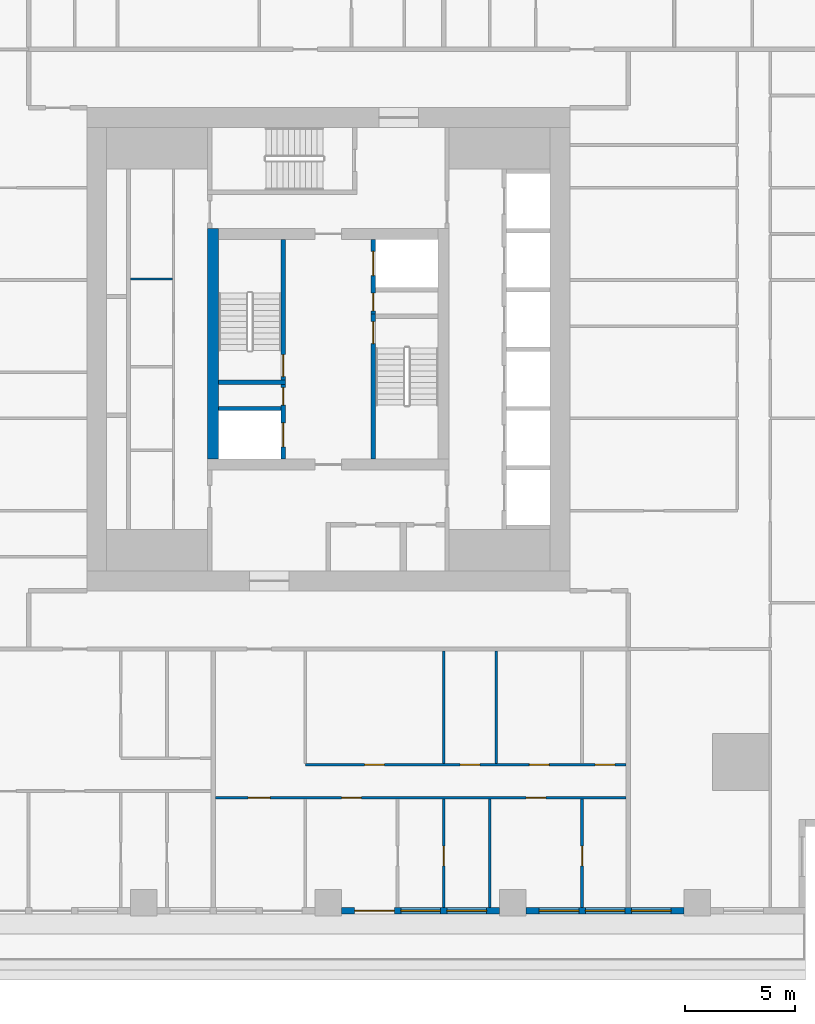
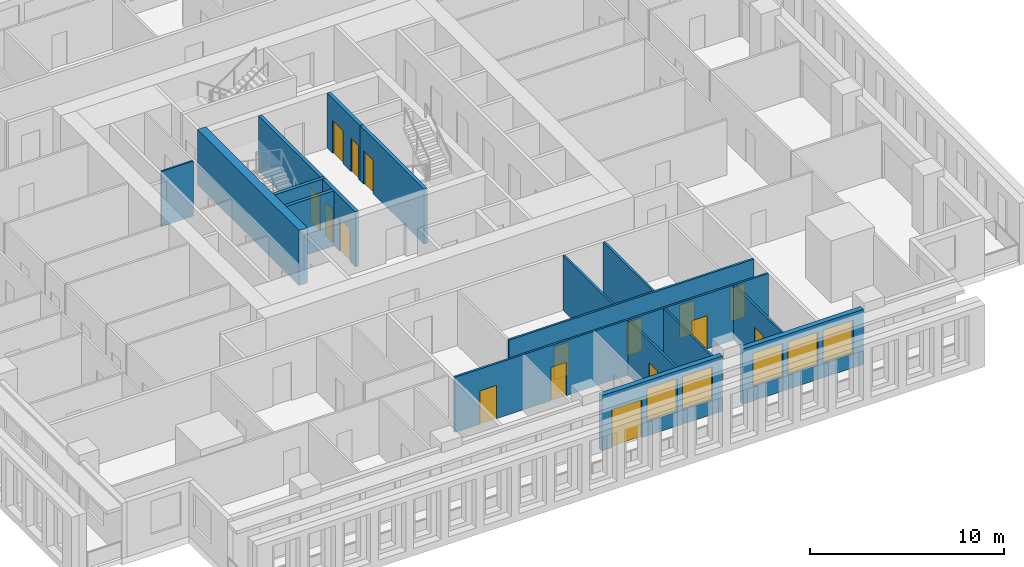
# One storey, part 4 of 16: 17 walls, 16 doors, 5 windows, 21 openings.
"""IFC4 building model written with IfcOpenShell, lengths in metres."""

import ifcopenshell
import ifcopenshell.guid

model = None  # the IFC model being written
_history = None  # IfcOwnerHistory: only IFC2X3 demands one
_inside = {}  # id of a spatial element -> (the spatial element, [elements in it])
_under = {}  # id of a project, library or spatial element -> (it, [spatial elements below it])
_declared = {}  # id of a project -> (the project, [libraries it declares])
_typed = {}  # id of a type object -> (the type object, [elements of that type])
_made_of = {}  # id of a material, layer set ... -> (it, [elements and type objects made of it])


def new_model(schema):
    """Start an empty IFC model of exactly this schema.

    Asked for "IFC4X3", IfcOpenShell would pick the latest addendum, in which some entities
    have other attributes; the version numbers below select the first issue.
    IFC2X3 requires an IfcOwnerHistory on every rooted entity: one is made here for all.
    """
    global model, _history
    if schema == "IFC4X3":
        model = ifcopenshell.file(schema_version=(4, 3, 0, 0))
    else:
        model = ifcopenshell.file(schema=schema)
    _inside.clear()
    _under.clear()
    _declared.clear()
    _typed.clear()
    _made_of.clear()
    _history = None
    if model.schema == "IFC2X3":
        org = make("IfcOrganization", Name="unknown")
        user = make(
            "IfcPersonAndOrganization",
            ThePerson=make("IfcPerson", FamilyName="unknown"),
            TheOrganization=org,
        )
        app = make(
            "IfcApplication",
            ApplicationDeveloper=org,
            Version="unknown",
            ApplicationFullName="unknown",
            ApplicationIdentifier="unknown",
        )
        _history = make(
            "IfcOwnerHistory",
            OwningUser=user,
            OwningApplication=app,
            ChangeAction="ADDED",
            CreationDate=0,
        )
    return model


def make(cls, **values):
    """One entity of the class cls with the attributes given. An attribute that is None is left unset."""
    return model.create_entity(
        cls, **{name: value for name, value in values.items() if value is not None}
    )


def rooted(cls, **values):
    """An entity with a GlobalId (a new one), such as an element, a storey or a relation."""
    return make(cls, GlobalId=ifcopenshell.guid.new(), OwnerHistory=_history, **values)


def si_unit(unit_type, name, prefix=None):
    """IfcSIUnit, for example si_unit("LENGTHUNIT", "METRE", prefix="MILLI")."""
    return make("IfcSIUnit", UnitType=unit_type, Prefix=prefix, Name=name)


def assignment(units):
    """IfcUnitAssignment: the units of a project."""
    return None if units is None else make("IfcUnitAssignment", Units=units)


def point(xyz):
    """IfcCartesianPoint."""
    return None if xyz is None else make("IfcCartesianPoint", Coordinates=xyz)


def direction(xyz):
    """IfcDirection."""
    return None if xyz is None else make("IfcDirection", DirectionRatios=xyz)


def frame(location, z_axis=None, x_axis=None):
    """IfcAxis2Placement3D, a coordinate frame: its origin and axes. An axis left out is left unset."""
    return make(
        "IfcAxis2Placement3D",
        Location=point(location),
        Axis=direction(z_axis),
        RefDirection=direction(x_axis),
    )


def frame_2d(location, x_axis=None):
    """IfcAxis2Placement2D, a coordinate frame in the plane: its origin and x axis."""
    return make(
        "IfcAxis2Placement2D", Location=point(location), RefDirection=direction(x_axis)
    )


def origin():
    """The frame at (0, 0, 0) with its axes left unset."""
    return frame((0.0, 0.0, 0.0))


def place(relative_to, where):
    """IfcLocalPlacement: puts the frame where relative to a parent placement (None: the world)."""
    return make(
        "IfcLocalPlacement", PlacementRelTo=relative_to, RelativePlacement=where
    )


def context(
    kind, dimensions, precision=None, world=None, true_north=None, identifier=None
):
    """IfcGeometricRepresentationContext, for example the 3D "Model" context."""
    return make(
        "IfcGeometricRepresentationContext",
        ContextIdentifier=identifier,
        ContextType=kind,
        CoordinateSpaceDimension=dimensions,
        Precision=precision,
        WorldCoordinateSystem=world,
        TrueNorth=true_north,
    )


def subcontext(parent, identifier, kind, view, scale=None):
    """IfcGeometricRepresentationSubContext, for example "Body" below "Model"."""
    return make(
        "IfcGeometricRepresentationSubContext",
        ContextIdentifier=identifier,
        ContextType=kind,
        ParentContext=parent,
        TargetScale=scale,
        TargetView=view,
    )


def project(units=None, contexts=None):
    """IfcProject with its units and contexts."""
    return rooted(
        "IfcProject",
        Name="project",
        RepresentationContexts=contexts,
        UnitsInContext=assignment(units),
    )


def spatial(cls, under=None, at=None, **own):
    """A site, building, storey or space (cls), placed at a placement, below another one or the project."""
    s = rooted(cls, ObjectPlacement=at, **own)
    if under is not None:
        _under.setdefault(under.id(), (under, []))[1].append(s)
    return s


def profile(cls, at=None, kind="AREA", **sizes):
    """A parametric profile (cls). Its sizes go by their IFC names, for example OverallWidth=200.0."""
    return make(cls, ProfileType=kind, Position=at, **sizes)


def rectangle(**sizes):
    """IfcRectangleProfileDef."""
    return profile("IfcRectangleProfileDef", **sizes)


def extrude(swept, where, along, depth):
    """IfcExtrudedAreaSolid: the profile swept, set in the frame where, extruded along a direction by depth."""
    return make(
        "IfcExtrudedAreaSolid",
        SweptArea=swept,
        Position=where,
        ExtrudedDirection=direction(along),
        Depth=depth,
    )


def shape(context_of_items, identifier, shape_type, items):
    """IfcShapeRepresentation: the items that make up one representation, for example the "Body"."""
    return make(
        "IfcShapeRepresentation",
        ContextOfItems=context_of_items,
        RepresentationIdentifier=identifier,
        RepresentationType=shape_type,
        Items=items,
    )


def material(Name=None, Category=None):
    """IfcMaterial."""
    return make("IfcMaterial", Name=Name, Category=Category)


def layer(
    of_material, thickness, ventilated=None, Name=None, Category=None, Priority=None
):
    """IfcMaterialLayer: one layer of a wall or slab, of a material (None: an air gap)."""
    return make(
        "IfcMaterialLayer",
        Material=of_material,
        LayerThickness=thickness,
        IsVentilated=ventilated,
        Name=Name,
        Category=Category,
        Priority=Priority,
    )


def layer_set(layers, Name=None):
    """IfcMaterialLayerSet."""
    return make("IfcMaterialLayerSet", MaterialLayers=layers, LayerSetName=Name)


def made_of(thing, what):
    """Note that an element or type object is made of a material, layer set ...; save() writes the relation."""
    if what is not None:
        _made_of.setdefault(what.id(), (what, []))[1].append(thing)
    return thing


def type_object(cls, material=None, **own):
    """A type object (cls), such as IfcWallType, which elements share."""
    return made_of(rooted(cls, **own), material)


def element(
    cls,
    number,
    at=None,
    inside=None,
    cuts=None,
    type_object=None,
    material=None,
    context=None,
    identifier="Body",
    shape_type=None,
    held_by="IfcProductDefinitionShape",
    body=None,
    shapes=None,
    **own,
):
    """One element of the class cls, such as IfcWall. Its Tag is "e" and its number.

    at: its placement. inside: the storey or other place that contains it. cuts: it is an
    opening in that element (IfcRelVoidsElement). A single representation is given by context,
    identifier, shape_type and body (its items); several are given by shapes. held_by: the class
    of the entity that holds the representations. save() writes the other relations.
    """
    e = rooted(cls, Tag="e%d" % number, ObjectPlacement=at, **own)
    if body is not None:
        shapes = [shape(context, identifier, shape_type, body)]
    if shapes is not None:
        e.Representation = make(held_by, Representations=shapes)
    if inside is not None:
        _inside.setdefault(inside.id(), (inside, []))[1].append(e)
    if cuts is not None:
        rooted(
            "IfcRelVoidsElement", RelatingBuildingElement=cuts, RelatedOpeningElement=e
        )
    if type_object is not None:
        _typed.setdefault(type_object.id(), (type_object, []))[1].append(e)
    return made_of(e, material)


def fill(opening, filler):
    """IfcRelFillsElement: the door or window that sits in an opening."""
    return rooted(
        "IfcRelFillsElement",
        RelatingOpeningElement=opening,
        RelatedBuildingElement=filler,
    )


def aggregate(whole, parts):
    """IfcRelAggregates: a whole, such as a stair, and the parts it consists of."""
    return rooted("IfcRelAggregates", RelatingObject=whole, RelatedObjects=parts)


def save(model, path):
    """Write the relations noted so far, then the file.

    IfcRelAggregates (storeys below a building ...), IfcRelContainedInSpatialStructure (elements
    in a storey), IfcRelDefinesByType, IfcRelAssociatesMaterial and IfcRelDeclares: one each for
    every whole, place, type object, material and project.
    """
    for whole, parts in _under.values():
        aggregate(whole, parts)
    for where, things in _inside.values():
        rooted(
            "IfcRelContainedInSpatialStructure",
            RelatedElements=things,
            RelatingStructure=where,
        )
    for kind, things in _typed.values():
        rooted("IfcRelDefinesByType", RelatedObjects=things, RelatingType=kind)
    for what, things in _made_of.values():
        rooted("IfcRelAssociatesMaterial", RelatedObjects=things, RelatingMaterial=what)
    for by, libraries in _declared.values():
        rooted("IfcRelDeclares", RelatingContext=by, RelatedDefinitions=libraries)
    model.write(path)


model = new_model("IFC4")

# Units and contexts
model_context = context("Model", 3, precision=1e-05, world=origin(), true_north=direction((0.0, 1.0)))
body_context = subcontext(model_context, "Body", "Model", "MODEL_VIEW")
ifc_project = project(units=[si_unit("LENGTHUNIT", "METRE"), si_unit("AREAUNIT", "SQUARE_METRE"), si_unit("VOLUMEUNIT", "CUBIC_METRE"), si_unit("PLANEANGLEUNIT", "RADIAN"), si_unit("MASSUNIT", "GRAM", prefix="KILO")], contexts=[model_context])

# Site, building, storey
site_placement = place(None, origin())
site = spatial("IfcSite", under=ifc_project, at=site_placement, CompositionType="ELEMENT")
building_placement = place(site_placement, origin())
building = spatial("IfcBuilding", under=site, at=building_placement, Name="Khepri Terraces", CompositionType="ELEMENT")
storey_placement = place(building_placement, frame((0.0, 0.0, 157.199951171875)))
storey = spatial("IfcBuildingStorey", under=building, at=storey_placement, Name="L37", CompositionType="ELEMENT", Elevation=157.199951171875)

# Wall, opening, door
ifc_material_1 = material(Name="Concrete C60/75", Category="concrete")
ifc_layer_1 = layer(ifc_material_1, 0.199951171875, Name="Concrete C60/75", Category="concrete")
ifc_layer_set_1 = layer_set([ifc_layer_1], Name="Concrete C60/75")
wall_type_1 = type_object("IfcWallType", Name="Core wall 200 C60/75", PredefinedType="SHEAR", material=ifc_layer_set_1)
wall_1_placement = place(storey_placement, frame((2.050048828125, -5.0, 0.0), z_axis=(0.0, 0.0, 1.0), x_axis=(0.0, 1.0, 0.0)))
wall_1 = element("IfcWall", 1, at=wall_1_placement, inside=storey, type_object=wall_type_1, Name="Core wall ST01 L37", PredefinedType="SHEAR", context=body_context, shape_type="SweptSolid", body=[
    extrude(rectangle(XDim=6.60009765625, YDim=0.199951171875, at=frame_2d((3.300048828125, 0.0))), origin(), (0.0, 0.0, 1.0), 3.47998046875),
])
opening_1_placement = place(wall_1_placement, frame((5.25, 0.0, 0.0)))
opening_1 = element("IfcOpeningElement", 2, at=opening_1_placement, cuts=wall_1, Name="Opening L37-C10", PredefinedType="OPENING", context=body_context, shape_type="SweptSolid", body=[
    extrude(rectangle(XDim=1.0, YDim=2.10009765625, at=frame_2d((0.5, 1.050048828125))), frame((0.0, 0.10986328125, 0.0), z_axis=(0.0, -1.0, 0.0), x_axis=(1.0, 0.0, 0.0)), (0.0, 0.0, 1.0), 0.219970703125),
])
ifc_material_2 = material(Name="Painted steel", Category="steel")
door_type_1 = type_object("IfcDoorType", Name="DR-CORE-STAIR-1000", OperationType="NOTDEFINED", PredefinedType="DOOR", material=ifc_material_2)
door_1_placement = place(opening_1_placement, frame((1.0, 0.0, 0.0), z_axis=(0.0, 0.0, 1.0), x_axis=(-1.0, 0.0, 0.0)))
door_1 = element("IfcDoor", 3, at=door_1_placement, inside=storey, type_object=door_type_1, Name="Stair door L37-C10", OperationType="SINGLE_SWING_LEFT", OverallHeight=2.10009765625, OverallWidth=1.0, PredefinedType="DOOR", context=body_context, shape_type="SweptSolid", body=[
    extrude(rectangle(XDim=1.0, YDim=2.10009765625, at=frame_2d((0.5, 1.050048828125))), frame((0.0, 0.02490234375, 0.0), z_axis=(0.0, -1.0, 0.0), x_axis=(1.0, 0.0, 0.0)), (0.0, 0.0, 1.0), 0.050048828125),
])
fill(opening_1, door_1)

# Wall
wall_2_placement = place(storey_placement, frame((-5.0, -1.5, 0.0), z_axis=(0.0, 0.0, 1.0), x_axis=(1.0, 0.0, 0.0)))
element("IfcWall", 4, at=wall_2_placement, inside=storey, type_object=wall_type_1, Name="Core wall ST02 L37", PredefinedType="SHEAR", context=body_context, shape_type="SweptSolid", body=[
    extrude(rectangle(XDim=3.050048828125, YDim=0.199951171875, at=frame_2d((1.52490234375, 0.0))), origin(), (0.0, 0.0, 1.0), 3.47998046875),
])

# Wall, opening, door
wall_3_placement = place(storey_placement, frame((-2.050048828125, -1.39990234375, 0.0), z_axis=(0.0, 0.0, 1.0), x_axis=(0.0, 1.0, 0.0)))
wall_3 = element("IfcWall", 5, at=wall_3_placement, inside=storey, type_object=wall_type_1, Name="Core wall ST03 L37", PredefinedType="SHEAR", context=body_context, shape_type="SweptSolid", body=[
    extrude(rectangle(XDim=6.39990234375, YDim=0.199951171875, at=frame_2d((3.199951171875, 0.0))), origin(), (0.0, 0.0, 1.0), 3.47998046875),
])
opening_2_placement = place(wall_3_placement, frame((0.14990234375, 0.0, 0.0)))
opening_2 = element("IfcOpeningElement", 6, at=opening_2_placement, cuts=wall_3, Name="Opening L37-C09", PredefinedType="OPENING", context=body_context, shape_type="SweptSolid", body=[
    extrude(rectangle(XDim=1.0, YDim=2.10009765625, at=frame_2d((0.5, 1.050048828125))), frame((0.0, 0.10986328125, 0.0), z_axis=(0.0, -1.0, 0.0), x_axis=(1.0, 0.0, 0.0)), (0.0, 0.0, 1.0), 0.219970703125),
])
door_2_placement = place(opening_2_placement, origin())
door_2 = element("IfcDoor", 7, at=door_2_placement, inside=storey, type_object=door_type_1, Name="Stair door L37-C09", OperationType="SINGLE_SWING_LEFT", OverallHeight=2.10009765625, OverallWidth=1.0, PredefinedType="DOOR", context=body_context, shape_type="SweptSolid", body=[
    extrude(rectangle(XDim=1.0, YDim=2.10009765625, at=frame_2d((0.5, 1.050048828125))), frame((0.0, 0.02490234375, 0.0), z_axis=(0.0, -1.0, 0.0), x_axis=(1.0, 0.0, 0.0)), (0.0, 0.0, 1.0), 0.050048828125),
])
fill(opening_2, door_2)

# Wall, openings, doors
wall_4_placement = place(storey_placement, frame((-2.050048828125, -5.0, 0.0), z_axis=(0.0, 0.0, 1.0), x_axis=(0.0, 1.0, 0.0)))
wall_4 = element("IfcWall", 8, at=wall_4_placement, inside=storey, type_object=wall_type_1, Name="Core wall SH05 L37", PredefinedType="SHEAR", context=body_context, shape_type="SweptSolid", body=[
    extrude(rectangle(XDim=3.39990234375, YDim=0.199951171875, at=frame_2d((1.699951171875, 0.0))), origin(), (0.0, 0.0, 1.0), 3.47998046875),
])
opening_3_placement = place(wall_4_placement, frame((0.550048828125, 0.0, 0.0)))
opening_3 = element("IfcOpeningElement", 9, at=opening_3_placement, cuts=wall_4, Name="Opening L37-C08", PredefinedType="OPENING", context=body_context, shape_type="SweptSolid", body=[
    extrude(rectangle(XDim=1.10009765625, YDim=2.10009765625, at=frame_2d((0.550048828125, 1.050048828125))), frame((0.0, 0.10986328125, 0.0), z_axis=(0.0, -1.0, 0.0), x_axis=(1.0, 0.0, 0.0)), (0.0, 0.0, 1.0), 0.219970703125),
])
opening_4_placement = place(wall_4_placement, frame((2.449951171875, 0.0, 0.0)))
opening_4 = element("IfcOpeningElement", 10, at=opening_4_placement, cuts=wall_4, Name="Opening L37-C12", PredefinedType="OPENING", context=body_context, shape_type="SweptSolid", body=[
    extrude(rectangle(XDim=0.800048828125, YDim=2.10009765625, at=frame_2d((0.39990234375, 1.050048828125))), frame((0.0, 0.10986328125, 0.0), z_axis=(0.0, -1.0, 0.0), x_axis=(1.0, 0.0, 0.0)), (0.0, 0.0, 1.0), 0.219970703125),
])
ifc_material_3 = material(Name="Stainless steel 304", Category="steel")
door_type_2 = type_object("IfcDoorType", Name="DR-CORE-FF-LANDING-1100", OperationType="NOTDEFINED", PredefinedType="DOOR", material=ifc_material_3)
door_3_placement = place(opening_3_placement, origin())
door_3 = element("IfcDoor", 11, at=door_3_placement, inside=storey, type_object=door_type_2, Name="Firefighting lift landing door L37-C08", OperationType="SLIDING_TO_LEFT", OverallHeight=2.10009765625, OverallWidth=1.10009765625, PredefinedType="DOOR", context=body_context, shape_type="SweptSolid", body=[
    extrude(rectangle(XDim=1.10009765625, YDim=2.10009765625, at=frame_2d((0.550048828125, 1.050048828125))), frame((0.0, 0.02490234375, 0.0), z_axis=(0.0, -1.0, 0.0), x_axis=(1.0, 0.0, 0.0)), (0.0, 0.0, 1.0), 0.050048828125),
])
fill(opening_3, door_3)
door_type_3 = type_object("IfcDoorType", Name="DR-CORE-RISER-800", OperationType="NOTDEFINED", PredefinedType="DOOR", material=ifc_material_2)
door_4_placement = place(opening_4_placement, origin())
door_4 = element("IfcDoor", 12, at=door_4_placement, inside=storey, type_object=door_type_3, Name="Riser door L37-C12", OperationType="SINGLE_SWING_RIGHT", OverallHeight=2.10009765625, OverallWidth=0.800048828125, PredefinedType="DOOR", context=body_context, shape_type="SweptSolid", body=[
    extrude(rectangle(XDim=0.800048828125, YDim=2.10009765625, at=frame_2d((0.39990234375, 1.050048828125))), frame((0.0, 0.02490234375, 0.0), z_axis=(0.0, -1.0, 0.0), x_axis=(1.0, 0.0, 0.0)), (0.0, 0.0, 1.0), 0.050048828125),
])
fill(opening_4, door_4)

# Wall
wall_5_placement = place(storey_placement, frame((-5.0, -2.699951171875, 0.0), z_axis=(0.0, 0.0, 1.0), x_axis=(1.0, 0.0, 0.0)))
element("IfcWall", 13, at=wall_5_placement, inside=storey, type_object=wall_type_1, Name="Core wall SH07 L37", PredefinedType="SHEAR", context=body_context, shape_type="SweptSolid", body=[
    extrude(rectangle(XDim=2.85009765625, YDim=0.199951171875, at=frame_2d((1.425048828125, 0.0))), origin(), (0.0, 0.0, 1.0), 3.47998046875),
])

# Wall, openings, doors
wall_6_placement = place(storey_placement, frame((2.050048828125, 1.60009765625, 0.0), z_axis=(0.0, 0.0, 1.0), x_axis=(0.0, 1.0, 0.0)))
wall_6 = element("IfcWall", 14, at=wall_6_placement, inside=storey, type_object=wall_type_1, Name="Core wall SH10 L37", PredefinedType="SHEAR", context=body_context, shape_type="SweptSolid", body=[
    extrude(rectangle(XDim=3.39990234375, YDim=0.199951171875, at=frame_2d((1.699951171875, 0.0))), origin(), (0.0, 0.0, 1.0), 3.47998046875),
])
opening_5_placement = place(wall_6_placement, frame((1.75, 0.0, 0.0)))
opening_5 = element("IfcOpeningElement", 15, at=opening_5_placement, cuts=wall_6, Name="Opening L37-C07", PredefinedType="OPENING", context=body_context, shape_type="SweptSolid", body=[
    extrude(rectangle(XDim=1.10009765625, YDim=2.10009765625, at=frame_2d((0.550048828125, 1.050048828125))), frame((0.0, 0.10986328125, 0.0), z_axis=(0.0, -1.0, 0.0), x_axis=(1.0, 0.0, 0.0)), (0.0, 0.0, 1.0), 0.219970703125),
])
opening_6_placement = place(wall_6_placement, frame((0.14990234375, 0.0, 0.0)))
opening_6 = element("IfcOpeningElement", 16, at=opening_6_placement, cuts=wall_6, Name="Opening L37-C11", PredefinedType="OPENING", context=body_context, shape_type="SweptSolid", body=[
    extrude(rectangle(XDim=0.800048828125, YDim=2.10009765625, at=frame_2d((0.39990234375, 1.050048828125))), frame((0.0, 0.10986328125, 0.0), z_axis=(0.0, -1.0, 0.0), x_axis=(1.0, 0.0, 0.0)), (0.0, 0.0, 1.0), 0.219970703125),
])
door_5_placement = place(opening_5_placement, origin())
door_5 = element("IfcDoor", 17, at=door_5_placement, inside=storey, type_object=door_type_2, Name="Firefighting lift landing door L37-C07", OperationType="SLIDING_TO_LEFT", OverallHeight=2.10009765625, OverallWidth=1.10009765625, PredefinedType="DOOR", context=body_context, shape_type="SweptSolid", body=[
    extrude(rectangle(XDim=1.10009765625, YDim=2.10009765625, at=frame_2d((0.550048828125, 1.050048828125))), frame((0.0, 0.02490234375, 0.0), z_axis=(0.0, -1.0, 0.0), x_axis=(1.0, 0.0, 0.0)), (0.0, 0.0, 1.0), 0.050048828125),
])
fill(opening_5, door_5)
door_6_placement = place(opening_6_placement, frame((0.800048828125, 0.0, 0.0), z_axis=(0.0, 0.0, 1.0), x_axis=(-1.0, 0.0, 0.0)))
door_6 = element("IfcDoor", 18, at=door_6_placement, inside=storey, type_object=door_type_3, Name="Riser door L37-C11", OperationType="SINGLE_SWING_RIGHT", OverallHeight=2.10009765625, OverallWidth=0.800048828125, PredefinedType="DOOR", context=body_context, shape_type="SweptSolid", body=[
    extrude(rectangle(XDim=0.800048828125, YDim=2.10009765625, at=frame_2d((0.39990234375, 1.050048828125))), frame((0.0, 0.02490234375, 0.0), z_axis=(0.0, -1.0, 0.0), x_axis=(1.0, 0.0, 0.0)), (0.0, 0.0, 1.0), 0.050048828125),
])
fill(opening_6, door_6)

# Walls
ifc_layer_2 = layer(ifc_material_1, 0.5, Name="Concrete C60/75", Category="concrete")
ifc_layer_set_2 = layer_set([ifc_layer_2], Name="Concrete C60/75")
wall_type_2 = type_object("IfcWallType", Name="Core wall 500 C60/75", PredefinedType="SHEAR", material=ifc_layer_set_2)
wall_7_placement = place(storey_placement, frame((-5.25, -5.0, 0.0), z_axis=(0.0, 0.0, 1.0), x_axis=(0.0, 1.0, 0.0)))
element("IfcWall", 19, at=wall_7_placement, inside=storey, type_object=wall_type_2, Name="Core wall BX02 L37", PredefinedType="SHEAR", context=body_context, shape_type="SweptSolid", body=[
    extrude(rectangle(XDim=10.5, YDim=0.5, at=frame_2d((5.25, 0.0))), origin(), (0.0, 0.0, 1.0), 3.47998046875),
])
ifc_material_4 = material(Name="Fire-rated gypsum board partition")
ifc_layer_3 = layer(ifc_material_4, 0.10009765625, Name="Fire-rated gypsum board partition")
ifc_layer_set_3 = layer_set([ifc_layer_3], Name="Fire-rated gypsum board partition")
wall_type_3 = type_object("IfcWallType", Name="WL-CORE-PART-100", PredefinedType="PARTITIONING", material=ifc_layer_set_3)
wall_8_placement = place(storey_placement, frame((-9.0, 3.199951171875, 0.0), z_axis=(0.0, 0.0, 1.0), x_axis=(1.0, 0.0, 0.0)))
element("IfcWall", 20, at=wall_8_placement, inside=storey, type_object=wall_type_3, Name="Core partition PT10 L37", PredefinedType="PARTITIONING", context=body_context, shape_type="SweptSolid", body=[
    extrude(rectangle(XDim=1.89990234375, YDim=0.10009765625, at=frame_2d((0.949951171875, 0.0))), origin(), (0.0, 0.0, 1.0), 3.47998046875),
])

# Wall, openings, door, windows
ifc_material_5 = material(Name="Precast concrete C50/60 warm stone", Category="masonry")
ifc_layer_4 = layer(ifc_material_5, 0.300048828125, Name="Precast concrete C50/60 warm stone", Category="masonry")
ifc_layer_set_4 = layer_set([ifc_layer_4], Name="Precast concrete C50/60 warm stone")
wall_type_4 = type_object("IfcWallType", Name="WL-EXT-PRECAST-300", PredefinedType="STANDARD", material=ifc_layer_set_4)
wall_9_placement = place(storey_placement, frame((0.60009765625, -25.570068359375, 0.0), z_axis=(0.0, 0.0, 1.0), x_axis=(1.0, 0.0, 0.0)))
wall_9 = element("IfcWall", 21, at=wall_9_placement, inside=storey, type_object=wall_type_4, Name="External wall L37 S", PredefinedType="STANDARD", context=body_context, shape_type="SweptSolid", body=[
    extrude(rectangle(XDim=7.199951171875, YDim=0.300048828125, at=frame_2d((3.60009765625, 0.0))), origin(), (0.0, 0.0, 1.0), 3.47998046875),
])
opening_7_placement = place(wall_9_placement, frame((0.60009765625, 0.0, 0.0)))
opening_7 = element("IfcOpeningElement", 22, at=opening_7_placement, cuts=wall_9, Name="Opening ED-L37-24", PredefinedType="OPENING", context=body_context, shape_type="SweptSolid", body=[
    extrude(rectangle(XDim=1.800048828125, YDim=2.39990234375, at=frame_2d((0.89990234375, 1.199951171875))), frame((0.0, 0.16015625, 0.0), z_axis=(0.0, -1.0, 0.0), x_axis=(1.0, 0.0, 0.0)), (0.0, 0.0, 1.0), 0.320068359375),
])
opening_8_placement = place(wall_9_placement, frame((2.699951171875, 0.0, 0.89990234375)))
opening_8 = element("IfcOpeningElement", 23, at=opening_8_placement, cuts=wall_9, Name="Opening W1", PredefinedType="OPENING", context=body_context, shape_type="SweptSolid", body=[
    extrude(rectangle(XDim=1.800048828125, YDim=2.10009765625, at=frame_2d((0.89990234375, 1.050048828125))), frame((0.0, 0.16015625, 0.0), z_axis=(0.0, -1.0, 0.0), x_axis=(1.0, 0.0, 0.0)), (0.0, 0.0, 1.0), 0.320068359375),
])
opening_9_placement = place(wall_9_placement, frame((4.800048828125, 0.0, 0.89990234375)))
opening_9 = element("IfcOpeningElement", 24, at=opening_9_placement, cuts=wall_9, Name="Opening W1", PredefinedType="OPENING", context=body_context, shape_type="SweptSolid", body=[
    extrude(rectangle(XDim=1.800048828125, YDim=2.10009765625, at=frame_2d((0.89990234375, 1.050048828125))), frame((0.0, 0.16015625, 0.0), z_axis=(0.0, -1.0, 0.0), x_axis=(1.0, 0.0, 0.0)), (0.0, 0.0, 1.0), 0.320068359375),
])
ifc_material_6 = material(Name="Anodised aluminium bronze glazed door", Category="aluminium")
door_type_4 = type_object("IfcDoorType", Name="DR-BAL-SLIDE-1800x2400", OperationType="NOTDEFINED", PredefinedType="DOOR", material=ifc_material_6)
door_7_placement = place(opening_7_placement, origin())
door_7 = element("IfcDoor", 25, at=door_7_placement, inside=storey, type_object=door_type_4, Name="Balcony door L37 S", OperationType="SLIDING_TO_LEFT", OverallHeight=2.39990234375, OverallWidth=1.800048828125, PredefinedType="DOOR", context=body_context, shape_type="SweptSolid", body=[
    extrude(rectangle(XDim=1.800048828125, YDim=2.39990234375, at=frame_2d((0.89990234375, 1.199951171875))), frame((0.0, 0.02490234375, 0.0), z_axis=(0.0, -1.0, 0.0), x_axis=(1.0, 0.0, 0.0)), (0.0, 0.0, 1.0), 0.050048828125),
])
fill(opening_7, door_7)
ifc_material_7 = material(Name="Clear glass", Category="glass")
window_type = type_object("IfcWindowType", Name="WIN-RES-1800x2100", PartitioningType="SINGLE_PANEL", PredefinedType="WINDOW", material=ifc_material_7)
window_1_placement = place(opening_8_placement, origin())
window_1 = element("IfcWindow", 26, at=window_1_placement, inside=storey, type_object=window_type, Name="Window L37 S", OverallHeight=2.10009765625, OverallWidth=1.800048828125, PartitioningType="SINGLE_PANEL", PredefinedType="WINDOW", context=body_context, shape_type="SweptSolid", body=[
    extrude(rectangle(XDim=1.800048828125, YDim=2.10009765625, at=frame_2d((0.89990234375, 1.050048828125))), frame((0.0, 0.030029296875, 0.0), z_axis=(0.0, -1.0, 0.0), x_axis=(1.0, 0.0, 0.0)), (0.0, 0.0, 1.0), 0.06005859375),
])
fill(opening_8, window_1)
window_2_placement = place(opening_9_placement, origin())
window_2 = element("IfcWindow", 27, at=window_2_placement, inside=storey, type_object=window_type, Name="Window L37 S", OverallHeight=2.10009765625, OverallWidth=1.800048828125, PartitioningType="SINGLE_PANEL", PredefinedType="WINDOW", context=body_context, shape_type="SweptSolid", body=[
    extrude(rectangle(XDim=1.800048828125, YDim=2.10009765625, at=frame_2d((0.89990234375, 1.050048828125))), frame((0.0, 0.030029296875, 0.0), z_axis=(0.0, -1.0, 0.0), x_axis=(1.0, 0.0, 0.0)), (0.0, 0.0, 1.0), 0.06005859375),
])
fill(opening_9, window_2)

# Wall, openings, windows
wall_10_placement = place(storey_placement, frame((9.0, -25.570068359375, 0.0), z_axis=(0.0, 0.0, 1.0), x_axis=(1.0, 0.0, 0.0)))
wall_10 = element("IfcWall", 28, at=wall_10_placement, inside=storey, type_object=wall_type_4, Name="External wall L37 S", PredefinedType="STANDARD", context=body_context, shape_type="SweptSolid", body=[
    extrude(rectangle(XDim=7.199951171875, YDim=0.300048828125, at=frame_2d((3.60009765625, 0.0))), origin(), (0.0, 0.0, 1.0), 3.47998046875),
])
opening_10_placement = place(wall_10_placement, frame((0.60009765625, 0.0, 0.89990234375)))
opening_10 = element("IfcOpeningElement", 29, at=opening_10_placement, cuts=wall_10, Name="Opening W1", PredefinedType="OPENING", context=body_context, shape_type="SweptSolid", body=[
    extrude(rectangle(XDim=1.800048828125, YDim=2.10009765625, at=frame_2d((0.89990234375, 1.050048828125))), frame((0.0, 0.16015625, 0.0), z_axis=(0.0, -1.0, 0.0), x_axis=(1.0, 0.0, 0.0)), (0.0, 0.0, 1.0), 0.320068359375),
])
opening_11_placement = place(wall_10_placement, frame((2.699951171875, 0.0, 0.89990234375)))
opening_11 = element("IfcOpeningElement", 30, at=opening_11_placement, cuts=wall_10, Name="Opening W1", PredefinedType="OPENING", context=body_context, shape_type="SweptSolid", body=[
    extrude(rectangle(XDim=1.800048828125, YDim=2.10009765625, at=frame_2d((0.89990234375, 1.050048828125))), frame((0.0, 0.16015625, 0.0), z_axis=(0.0, -1.0, 0.0), x_axis=(1.0, 0.0, 0.0)), (0.0, 0.0, 1.0), 0.320068359375),
])
opening_12_placement = place(wall_10_placement, frame((4.800048828125, 0.0, 0.89990234375)))
opening_12 = element("IfcOpeningElement", 31, at=opening_12_placement, cuts=wall_10, Name="Opening W1", PredefinedType="OPENING", context=body_context, shape_type="SweptSolid", body=[
    extrude(rectangle(XDim=1.800048828125, YDim=2.10009765625, at=frame_2d((0.89990234375, 1.050048828125))), frame((0.0, 0.16015625, 0.0), z_axis=(0.0, -1.0, 0.0), x_axis=(1.0, 0.0, 0.0)), (0.0, 0.0, 1.0), 0.320068359375),
])
window_3_placement = place(opening_10_placement, origin())
window_3 = element("IfcWindow", 32, at=window_3_placement, inside=storey, type_object=window_type, Name="Window L37 S", OverallHeight=2.10009765625, OverallWidth=1.800048828125, PartitioningType="SINGLE_PANEL", PredefinedType="WINDOW", context=body_context, shape_type="SweptSolid", body=[
    extrude(rectangle(XDim=1.800048828125, YDim=2.10009765625, at=frame_2d((0.89990234375, 1.050048828125))), frame((0.0, 0.030029296875, 0.0), z_axis=(0.0, -1.0, 0.0), x_axis=(1.0, 0.0, 0.0)), (0.0, 0.0, 1.0), 0.06005859375),
])
fill(opening_10, window_3)
window_4_placement = place(opening_11_placement, origin())
window_4 = element("IfcWindow", 33, at=window_4_placement, inside=storey, type_object=window_type, Name="Window L37 S", OverallHeight=2.10009765625, OverallWidth=1.800048828125, PartitioningType="SINGLE_PANEL", PredefinedType="WINDOW", context=body_context, shape_type="SweptSolid", body=[
    extrude(rectangle(XDim=1.800048828125, YDim=2.10009765625, at=frame_2d((0.89990234375, 1.050048828125))), frame((0.0, 0.030029296875, 0.0), z_axis=(0.0, -1.0, 0.0), x_axis=(1.0, 0.0, 0.0)), (0.0, 0.0, 1.0), 0.06005859375),
])
fill(opening_11, window_4)
window_5_placement = place(opening_12_placement, origin())
window_5 = element("IfcWindow", 34, at=window_5_placement, inside=storey, type_object=window_type, Name="Window L37 S", OverallHeight=2.10009765625, OverallWidth=1.800048828125, PartitioningType="SINGLE_PANEL", PredefinedType="WINDOW", context=body_context, shape_type="SweptSolid", body=[
    extrude(rectangle(XDim=1.800048828125, YDim=2.10009765625, at=frame_2d((0.89990234375, 1.050048828125))), frame((0.0, 0.030029296875, 0.0), z_axis=(0.0, -1.0, 0.0), x_axis=(1.0, 0.0, 0.0)), (0.0, 0.0, 1.0), 0.06005859375),
])
fill(opening_12, window_5)

# Wall, opening, door
ifc_material_8 = material(Name="Gypsum plasterboard partition")
ifc_layer_5 = layer(ifc_material_8, 0.1201171875, Name="Gypsum plasterboard partition")
ifc_layer_set_5 = layer_set([ifc_layer_5], Name="Gypsum plasterboard partition")
wall_type_5 = type_object("IfcWallType", Name="WL-PART-120", PredefinedType="PARTITIONING", material=ifc_layer_set_5)
wall_11_placement = place(storey_placement, frame((5.25, -25.419921875, 0.0), z_axis=(0.0, 0.0, 1.0), x_axis=(0.0, 1.0, 0.0)))
wall_11 = element("IfcWall", 35, at=wall_11_placement, inside=storey, type_object=wall_type_5, Name="Partition P-007 L37", PredefinedType="PARTITIONING", context=body_context, shape_type="SweptSolid", body=[
    extrude(rectangle(XDim=4.93994140625, YDim=0.1201171875, at=frame_2d((2.469970703125, 0.0))), origin(), (0.0, 0.0, 1.0), 3.47998046875),
])
opening_13_placement = place(wall_11_placement, frame((1.89990234375, 0.0, 0.0)))
opening_13 = element("IfcOpeningElement", 36, at=opening_13_placement, cuts=wall_11, Name="Opening D4", PredefinedType="OPENING", context=body_context, shape_type="SweptSolid", body=[
    extrude(rectangle(XDim=0.89990234375, YDim=2.10009765625, at=frame_2d((0.449951171875, 1.050048828125))), frame((0.0, 0.070068359375, 0.0), z_axis=(0.0, -1.0, 0.0), x_axis=(1.0, 0.0, 0.0)), (0.0, 0.0, 1.0), 0.14013671875),
])
ifc_material_9 = material(Name="Timber door leaf, moisture resistant", Category="wood")
door_type_5 = type_object("IfcDoorType", Name="DR-WET-900", OperationType="NOTDEFINED", PredefinedType="DOOR", material=ifc_material_9)
door_8_placement = place(opening_13_placement, frame((0.89990234375, 0.0, 0.0), z_axis=(0.0, 0.0, 1.0), x_axis=(-1.0, 0.0, 0.0)))
door_8 = element("IfcDoor", 37, at=door_8_placement, inside=storey, type_object=door_type_5, Name="Door Bathroom", OperationType="SINGLE_SWING_RIGHT", OverallHeight=2.10009765625, OverallWidth=0.89990234375, PredefinedType="DOOR", context=body_context, shape_type="SweptSolid", body=[
    extrude(rectangle(XDim=0.89990234375, YDim=2.10009765625, at=frame_2d((0.449951171875, 1.050048828125))), frame((0.0, 0.02490234375, 0.0), z_axis=(0.0, -1.0, 0.0), x_axis=(1.0, 0.0, 0.0)), (0.0, 0.0, 1.0), 0.050048828125),
])
fill(opening_13, door_8)

# Wall
wall_12_placement = place(storey_placement, frame((7.35009765625, -25.419921875, 0.0), z_axis=(0.0, 0.0, 1.0), x_axis=(0.0, 1.0, 0.0)))
element("IfcWall", 38, at=wall_12_placement, inside=storey, type_object=wall_type_5, Name="Partition P-008 L37", PredefinedType="PARTITIONING", context=body_context, shape_type="SweptSolid", body=[
    extrude(rectangle(XDim=4.93994140625, YDim=0.1201171875, at=frame_2d((2.469970703125, 0.0))), origin(), (0.0, 0.0, 1.0), 3.47998046875),
])

# Wall, opening, door
wall_13_placement = place(storey_placement, frame((11.550048828125, -25.419921875, 0.0), z_axis=(0.0, 0.0, 1.0), x_axis=(0.0, 1.0, 0.0)))
wall_13 = element("IfcWall", 39, at=wall_13_placement, inside=storey, type_object=wall_type_5, Name="Partition P-009 L37", PredefinedType="PARTITIONING", context=body_context, shape_type="SweptSolid", body=[
    extrude(rectangle(XDim=4.93994140625, YDim=0.1201171875, at=frame_2d((2.469970703125, 0.0))), origin(), (0.0, 0.0, 1.0), 3.47998046875),
])
opening_14_placement = place(wall_13_placement, frame((1.89990234375, 0.0, 0.0)))
opening_14 = element("IfcOpeningElement", 40, at=opening_14_placement, cuts=wall_13, Name="Opening D4", PredefinedType="OPENING", context=body_context, shape_type="SweptSolid", body=[
    extrude(rectangle(XDim=0.89990234375, YDim=2.10009765625, at=frame_2d((0.449951171875, 1.050048828125))), frame((0.0, 0.070068359375, 0.0), z_axis=(0.0, -1.0, 0.0), x_axis=(1.0, 0.0, 0.0)), (0.0, 0.0, 1.0), 0.14013671875),
])
door_9_placement = place(opening_14_placement, frame((0.89990234375, 0.0, 0.0), z_axis=(0.0, 0.0, 1.0), x_axis=(-1.0, 0.0, 0.0)))
door_9 = element("IfcDoor", 41, at=door_9_placement, inside=storey, type_object=door_type_5, Name="Door Bathroom", OperationType="SINGLE_SWING_RIGHT", OverallHeight=2.10009765625, OverallWidth=0.89990234375, PredefinedType="DOOR", context=body_context, shape_type="SweptSolid", body=[
    extrude(rectangle(XDim=0.89990234375, YDim=2.10009765625, at=frame_2d((0.449951171875, 1.050048828125))), frame((0.0, 0.02490234375, 0.0), z_axis=(0.0, -1.0, 0.0), x_axis=(1.0, 0.0, 0.0)), (0.0, 0.0, 1.0), 0.050048828125),
])
fill(opening_14, door_9)

# Wall, openings, doors
wall_14_placement = place(storey_placement, frame((-5.14990234375, -20.419921875, 0.0), z_axis=(0.0, 0.0, 1.0), x_axis=(1.0, 0.0, 0.0)))
wall_14 = element("IfcWall", 42, at=wall_14_placement, inside=storey, type_object=wall_type_5, Name="Partition P-012 L37", PredefinedType="PARTITIONING", context=body_context, shape_type="SweptSolid", body=[
    extrude(rectangle(XDim=18.699951171875, YDim=0.1201171875, at=frame_2d((9.35009765625, 0.0))), origin(), (0.0, 0.0, 1.0), 3.47998046875),
])
opening_15_placement = place(wall_14_placement, frame((1.5, 0.0, 0.0)))
opening_15 = element("IfcOpeningElement", 43, at=opening_15_placement, cuts=wall_14, Name="Opening D2", PredefinedType="OPENING", context=body_context, shape_type="SweptSolid", body=[
    extrude(rectangle(XDim=1.0, YDim=2.10009765625, at=frame_2d((0.5, 1.050048828125))), frame((0.0, 0.070068359375, 0.0), z_axis=(0.0, -1.0, 0.0), x_axis=(1.0, 0.0, 0.0)), (0.0, 0.0, 1.0), 0.14013671875),
])
opening_16_placement = place(wall_14_placement, frame((5.75, 0.0, 0.0)))
opening_16 = element("IfcOpeningElement", 44, at=opening_16_placement, cuts=wall_14, Name="Opening D3", PredefinedType="OPENING", context=body_context, shape_type="SweptSolid", body=[
    extrude(rectangle(XDim=0.89990234375, YDim=2.10009765625, at=frame_2d((0.449951171875, 1.050048828125))), frame((0.0, 0.070068359375, 0.0), z_axis=(0.0, -1.0, 0.0), x_axis=(1.0, 0.0, 0.0)), (0.0, 0.0, 1.0), 0.14013671875),
])
opening_17_placement = place(wall_14_placement, frame((14.14990234375, 0.0, 0.0)))
opening_17 = element("IfcOpeningElement", 45, at=opening_17_placement, cuts=wall_14, Name="Opening D3", PredefinedType="OPENING", context=body_context, shape_type="SweptSolid", body=[
    extrude(rectangle(XDim=0.89990234375, YDim=2.10009765625, at=frame_2d((0.449951171875, 1.050048828125))), frame((0.0, 0.070068359375, 0.0), z_axis=(0.0, -1.0, 0.0), x_axis=(1.0, 0.0, 0.0)), (0.0, 0.0, 1.0), 0.14013671875),
])
ifc_material_10 = material(Name="Timber door leaf, living room door", Category="wood")
door_type_6 = type_object("IfcDoorType", Name="DR-INT-1000", OperationType="NOTDEFINED", PredefinedType="DOOR", material=ifc_material_10)
door_10_placement = place(opening_15_placement, frame((1.0, 0.0, 0.0), z_axis=(0.0, 0.0, 1.0), x_axis=(-1.0, 0.0, 0.0)))
door_10 = element("IfcDoor", 46, at=door_10_placement, inside=storey, type_object=door_type_6, Name="Door Living Room", OperationType="SINGLE_SWING_RIGHT", OverallHeight=2.10009765625, OverallWidth=1.0, PredefinedType="DOOR", context=body_context, shape_type="SweptSolid", body=[
    extrude(rectangle(XDim=1.0, YDim=2.10009765625, at=frame_2d((0.5, 1.050048828125))), frame((0.0, 0.02490234375, 0.0), z_axis=(0.0, -1.0, 0.0), x_axis=(1.0, 0.0, 0.0)), (0.0, 0.0, 1.0), 0.050048828125),
])
fill(opening_15, door_10)
ifc_material_11 = material(Name="Timber door leaf", Category="wood")
door_type_7 = type_object("IfcDoorType", Name="DR-INT-900", OperationType="NOTDEFINED", PredefinedType="DOOR", material=ifc_material_11)
door_11_placement = place(opening_16_placement, frame((0.89990234375, 0.0, 0.0), z_axis=(0.0, 0.0, 1.0), x_axis=(-1.0, 0.0, 0.0)))
door_11 = element("IfcDoor", 47, at=door_11_placement, inside=storey, type_object=door_type_7, Name="Door Master Bedroom", OperationType="SINGLE_SWING_RIGHT", OverallHeight=2.10009765625, OverallWidth=0.89990234375, PredefinedType="DOOR", context=body_context, shape_type="SweptSolid", body=[
    extrude(rectangle(XDim=0.89990234375, YDim=2.10009765625, at=frame_2d((0.449951171875, 1.050048828125))), frame((0.0, 0.02490234375, 0.0), z_axis=(0.0, -1.0, 0.0), x_axis=(1.0, 0.0, 0.0)), (0.0, 0.0, 1.0), 0.050048828125),
])
fill(opening_16, door_11)
door_12_placement = place(opening_17_placement, frame((0.89990234375, 0.0, 0.0), z_axis=(0.0, 0.0, 1.0), x_axis=(-1.0, 0.0, 0.0)))
door_12 = element("IfcDoor", 48, at=door_12_placement, inside=storey, type_object=door_type_7, Name="Door Bedroom", OperationType="SINGLE_SWING_LEFT", OverallHeight=2.10009765625, OverallWidth=0.89990234375, PredefinedType="DOOR", context=body_context, shape_type="SweptSolid", body=[
    extrude(rectangle(XDim=0.89990234375, YDim=2.10009765625, at=frame_2d((0.449951171875, 1.050048828125))), frame((0.0, 0.02490234375, 0.0), z_axis=(0.0, -1.0, 0.0), x_axis=(1.0, 0.0, 0.0)), (0.0, 0.0, 1.0), 0.050048828125),
])
fill(opening_17, door_12)

wall_15_placement = place(storey_placement, frame((-1.050048828125, -18.919921875, 0.0), z_axis=(0.0, 0.0, 1.0), x_axis=(1.0, 0.0, 0.0)))
wall_15 = element("IfcWall", 49, at=wall_15_placement, inside=storey, type_object=wall_type_5, Name="Partition P-015 L37", PredefinedType="PARTITIONING", context=body_context, shape_type="SweptSolid", body=[
    extrude(rectangle(XDim=14.60009765625, YDim=0.1201171875, at=frame_2d((7.300048828125, 0.0))), origin(), (0.0, 0.0, 1.0), 3.47998046875),
])
opening_18_placement = place(wall_15_placement, frame((2.699951171875, 0.0, 0.0)))
opening_18 = element("IfcOpeningElement", 50, at=opening_18_placement, cuts=wall_15, Name="Opening D3", PredefinedType="OPENING", context=body_context, shape_type="SweptSolid", body=[
    extrude(rectangle(XDim=0.89990234375, YDim=2.10009765625, at=frame_2d((0.449951171875, 1.050048828125))), frame((0.0, 0.070068359375, 0.0), z_axis=(0.0, -1.0, 0.0), x_axis=(1.0, 0.0, 0.0)), (0.0, 0.0, 1.0), 0.14013671875),
])
opening_19_placement = place(wall_15_placement, frame((7.050048828125, 0.0, 0.0)))
opening_19 = element("IfcOpeningElement", 51, at=opening_19_placement, cuts=wall_15, Name="Opening D4", PredefinedType="OPENING", context=body_context, shape_type="SweptSolid", body=[
    extrude(rectangle(XDim=0.89990234375, YDim=2.10009765625, at=frame_2d((0.449951171875, 1.050048828125))), frame((0.0, 0.070068359375, 0.0), z_axis=(0.0, -1.0, 0.0), x_axis=(1.0, 0.0, 0.0)), (0.0, 0.0, 1.0), 0.14013671875),
])
opening_20_placement = place(wall_15_placement, frame((10.199951171875, 0.0, 0.0)))
opening_20 = element("IfcOpeningElement", 52, at=opening_20_placement, cuts=wall_15, Name="Opening D4", PredefinedType="OPENING", context=body_context, shape_type="SweptSolid", body=[
    extrude(rectangle(XDim=0.89990234375, YDim=2.10009765625, at=frame_2d((0.449951171875, 1.050048828125))), frame((0.0, 0.070068359375, 0.0), z_axis=(0.0, -1.0, 0.0), x_axis=(1.0, 0.0, 0.0)), (0.0, 0.0, 1.0), 0.14013671875),
])
opening_21_placement = place(wall_15_placement, frame((13.199951171875, 0.0, 0.0)))
opening_21 = element("IfcOpeningElement", 53, at=opening_21_placement, cuts=wall_15, Name="Opening D3", PredefinedType="OPENING", context=body_context, shape_type="SweptSolid", body=[
    extrude(rectangle(XDim=0.89990234375, YDim=2.10009765625, at=frame_2d((0.449951171875, 1.050048828125))), frame((0.0, 0.070068359375, 0.0), z_axis=(0.0, -1.0, 0.0), x_axis=(1.0, 0.0, 0.0)), (0.0, 0.0, 1.0), 0.14013671875),
])
door_13_placement = place(opening_18_placement, origin())
door_13 = element("IfcDoor", 54, at=door_13_placement, inside=storey, type_object=door_type_7, Name="Door Kitchen", OperationType="SINGLE_SWING_LEFT", OverallHeight=2.10009765625, OverallWidth=0.89990234375, PredefinedType="DOOR", context=body_context, shape_type="SweptSolid", body=[
    extrude(rectangle(XDim=0.89990234375, YDim=2.10009765625, at=frame_2d((0.449951171875, 1.050048828125))), frame((0.0, 0.02490234375, 0.0), z_axis=(0.0, -1.0, 0.0), x_axis=(1.0, 0.0, 0.0)), (0.0, 0.0, 1.0), 0.050048828125),
])
fill(opening_18, door_13)
door_14_placement = place(opening_21_placement, origin())
door_14 = element("IfcDoor", 55, at=door_14_placement, inside=storey, type_object=door_type_7, Name="Door Utility Room", OperationType="SINGLE_SWING_RIGHT", OverallHeight=2.10009765625, OverallWidth=0.89990234375, PredefinedType="DOOR", context=body_context, shape_type="SweptSolid", body=[
    extrude(rectangle(XDim=0.89990234375, YDim=2.10009765625, at=frame_2d((0.449951171875, 1.050048828125))), frame((0.0, 0.02490234375, 0.0), z_axis=(0.0, -1.0, 0.0), x_axis=(1.0, 0.0, 0.0)), (0.0, 0.0, 1.0), 0.050048828125),
])
fill(opening_21, door_14)
door_15_placement = place(opening_19_placement, origin())
door_15 = element("IfcDoor", 56, at=door_15_placement, inside=storey, type_object=door_type_5, Name="Door Powder Room", OperationType="SINGLE_SWING_RIGHT", OverallHeight=2.10009765625, OverallWidth=0.89990234375, PredefinedType="DOOR", context=body_context, shape_type="SweptSolid", body=[
    extrude(rectangle(XDim=0.89990234375, YDim=2.10009765625, at=frame_2d((0.449951171875, 1.050048828125))), frame((0.0, 0.02490234375, 0.0), z_axis=(0.0, -1.0, 0.0), x_axis=(1.0, 0.0, 0.0)), (0.0, 0.0, 1.0), 0.050048828125),
])
fill(opening_19, door_15)
door_16_placement = place(opening_20_placement, origin())
door_16 = element("IfcDoor", 57, at=door_16_placement, inside=storey, type_object=door_type_5, Name="Door Guest Bathroom", OperationType="SINGLE_SWING_RIGHT", OverallHeight=2.10009765625, OverallWidth=0.89990234375, PredefinedType="DOOR", context=body_context, shape_type="SweptSolid", body=[
    extrude(rectangle(XDim=0.89990234375, YDim=2.10009765625, at=frame_2d((0.449951171875, 1.050048828125))), frame((0.0, 0.02490234375, 0.0), z_axis=(0.0, -1.0, 0.0), x_axis=(1.0, 0.0, 0.0)), (0.0, 0.0, 1.0), 0.050048828125),
])
fill(opening_20, door_16)

# Walls
for number, where, z_axis, x_axis, name in (
    (58, (5.25, -18.860107421875, 0.0), (0.0, 0.0, 1.0), (0.0, 1.0, 0.0), "Partition P-017 L37"),
    (59, (7.64990234375, -18.860107421875, 0.0), (0.0, 0.0, 1.0), (0.0, 1.0, 0.0), "Partition P-018 L37"),
):
    element("IfcWall", number, at=place(storey_placement, frame(where, z_axis=z_axis, x_axis=x_axis)), inside=storey, type_object=wall_type_5, Name=name, PredefinedType="PARTITIONING", context=body_context, shape_type="SweptSolid", body=[
        extrude(rectangle(XDim=5.110107421875, YDim=0.1201171875, at=frame_2d((2.55517578125, 0.0))), origin(), (0.0, 0.0, 1.0), 3.47998046875),
    ])

save(model, "model.ifc")
